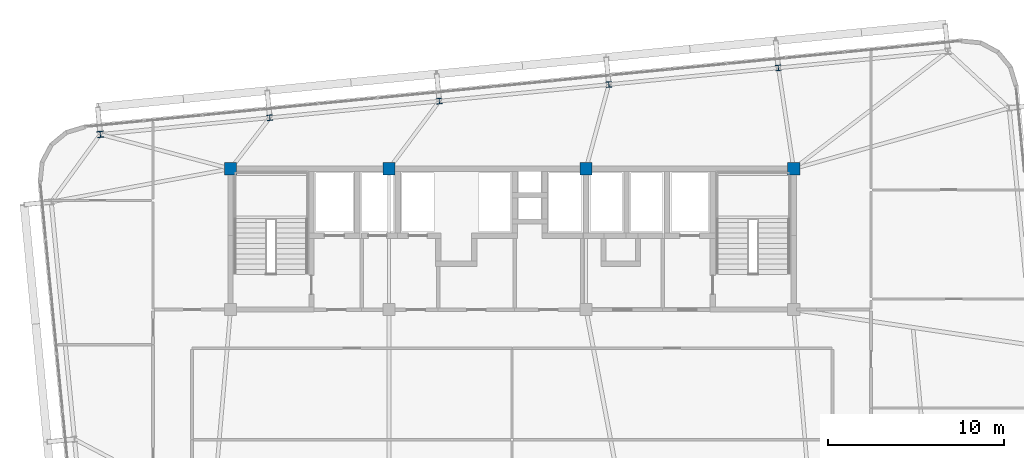
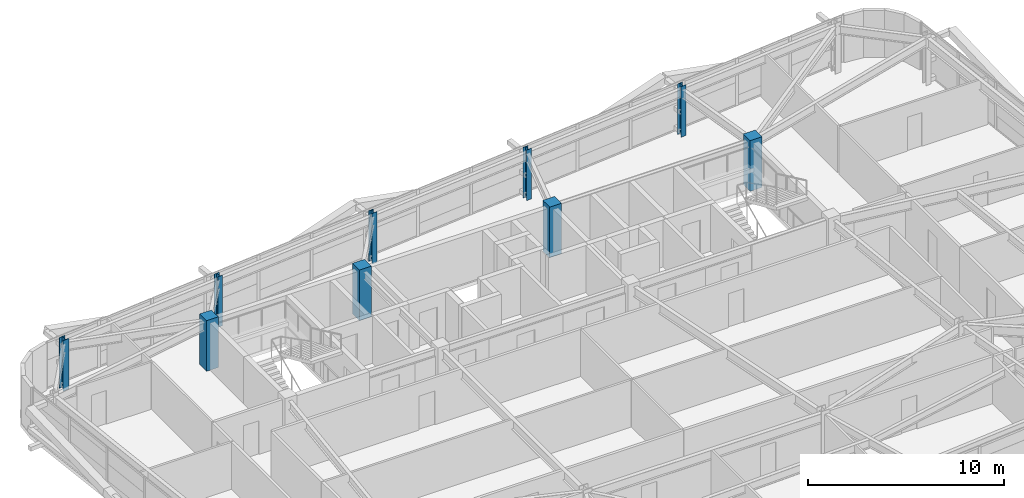
# One storey, part 3 of 52: 9 columns.
"""IFC4 building model written with IfcOpenShell, lengths in metres."""

from ifc_helpers import new_model, si_unit, direction, frame, origin, origin_2d, place, context, subcontext, project, spatial, rectangle, i_section, extrude, source, transform, mapped, material, material_profile, profile_set, type_object, element, save


model = new_model("IFC4")

# Units and contexts
model_context = context("Model", 3, precision=1e-05, world=origin(), true_north=direction((0.0, 1.0)))
body_context = subcontext(model_context, "Body", "Model", "MODEL_VIEW")
ifc_project = project(units=[si_unit("LENGTHUNIT", "METRE"), si_unit("AREAUNIT", "SQUARE_METRE"), si_unit("VOLUMEUNIT", "CUBIC_METRE"), si_unit("PLANEANGLEUNIT", "RADIAN"), si_unit("MASSUNIT", "GRAM", prefix="KILO")], contexts=[model_context])

# Site, building, storey
site_placement = place(None, origin())
site = spatial("IfcSite", under=ifc_project, at=site_placement, CompositionType="ELEMENT")
building_placement = place(site_placement, origin())
building = spatial("IfcBuilding", under=site, at=building_placement, Name="Taldren Reach Tower", CompositionType="ELEMENT")
storey_placement = place(building_placement, frame((0.0, 0.0, 77.699951171875)))
storey = spatial("IfcBuildingStorey", under=building, at=storey_placement, Name="L23", CompositionType="ELEMENT", Elevation=77.699951171875)

# Columns
ifc_material_1 = material(Name="Concrete S65 (65 MPa)", Category="concrete")
ifc_material_profile_1 = material_profile(ifc_material_1, rectangle(XDim=0.699951171875, YDim=0.699951171875, at=origin_2d()), Name="RC-700x700")
ifc_profile_set_1 = profile_set([ifc_material_profile_1], Name="Concrete S65 (65 MPa)")
column_type_1 = type_object("IfcColumnType", Name="COL-RC700", PredefinedType="COLUMN", material=ifc_profile_set_1)
shared_shape_1 = source(origin(), body_context, "Body", "SweptSolid", [
    extrude(rectangle(XDim=0.699951171875, YDim=0.699951171875, at=origin_2d()), origin(), (0.0, 0.0, 1.0), 3.150146484375),
])
for number, where, z_axis, x_axis, name in (
    (1, (19.0, 32.0, 0.0), (0.0, 0.0, 1.0), (1.0, 0.0, 0.0), "Mega column MC-C5 L23"),
    (2, (28.0, 32.0, 0.0), (0.0, 0.0, 1.0), (1.0, 0.0, 0.0), "Mega column MC-C6 L23"),
    (3, (39.199951171875, 32.0, 0.0), (0.0, 0.0, 1.0), (1.0, 0.0, 0.0), "Mega column MC-C7 L23"),
    (4, (51.0, 32.0, 0.0), (0.0, 0.0, 1.0), (1.0, 0.0, 0.0), "Mega column MC-C8 L23"),
):
    element("IfcColumn", number, at=place(storey_placement, frame(where, z_axis=z_axis, x_axis=x_axis)), inside=storey, type_object=column_type_1, Name=name, PredefinedType="COLUMN", context=body_context, shape_type="MappedRepresentation", body=[
        mapped(shared_shape_1, transform((0.0, 0.0, 0.0), scale=1.0)),
    ])
ifc_material_2 = material(Name="Steel Gr 350 (350PLUS)", Category="steel")
ifc_material_profile_2 = material_profile(ifc_material_2, i_section(OverallWidth=0.35009765625, OverallDepth=0.35595703125, WebThickness=0.01806640625, FlangeThickness=0.028076171875, at=origin_2d()), Name="350WC197")
ifc_profile_set_2 = profile_set([ifc_material_profile_2], Name="Steel Gr 350 (350PLUS)")
column_type_2 = type_object("IfcColumnType", Name="COL-WC350", PredefinedType="COLUMN", material=ifc_profile_set_2)
shared_shape_2 = source(origin(), body_context, "Body", "SweptSolid", [
    extrude(i_section(OverallWidth=0.35009765625, OverallDepth=0.35595703125, WebThickness=0.01806640625, FlangeThickness=0.028076171875, at=origin_2d()), origin(), (0.0, 0.0, 1.0), 3.150146484375),
])
column_placement = place(storey_placement, frame((11.596923828125, 33.956787109375, 0.0), z_axis=(0.0, 0.0, 1.0), x_axis=(0.995227399982, 0.097582899759, 0.0)))
element("IfcColumn", 5, at=column_placement, inside=storey, type_object=column_type_2, Name="Block B2 perimeter column N1 L23", PredefinedType="COLUMN", context=body_context, shape_type="MappedRepresentation", body=[
    mapped(shared_shape_2, transform((0.0, 0.0, 0.0), scale=1.0)),
])
ifc_material_profile_3 = material_profile(ifc_material_2, i_section(OverallWidth=0.306884765625, OverallDepth=0.31494140625, WebThickness=0.011962890625, FlangeThickness=0.018798828125, at=origin_2d()), Name="310UC118")
ifc_profile_set_3 = profile_set([ifc_material_profile_3], Name="Steel Gr 350 (350PLUS)")
column_type_3 = type_object("IfcColumnType", Name="COL-UC310B", PredefinedType="COLUMN", material=ifc_profile_set_3)
shared_shape_3 = source(origin(), body_context, "Body", "SweptSolid", [
    extrude(i_section(OverallWidth=0.306884765625, OverallDepth=0.31494140625, WebThickness=0.011962890625, FlangeThickness=0.018798828125, at=origin_2d()), origin(), (0.0, 0.0, 1.0), 3.150146484375),
])
for number, where, z_axis, x_axis, name in (
    (6, (21.230712890625, 34.9013671875, 0.0), (0.0, 0.0, 1.0), (0.995227399982, 0.097582899759, 0.0), "Block B2 perimeter column N2 L23"),
    (7, (30.864501953125, 35.84619140625, 0.0), (0.0, 0.0, 1.0), (0.995227399982, 0.097582899759, 0.0), "Block B2 perimeter column N3 L23"),
    (8, (40.498291015625, 36.790771484375, 0.0), (0.0, 0.0, 1.0), (0.995227399982, 0.097582899759, 0.0), "Block B2 perimeter column N4 L23"),
    (9, (50.132080078125, 37.7353515625, 0.0), (0.0, 0.0, 1.0), (0.995227399982, 0.097582899759, 0.0), "Block B2 perimeter column N5 L23"),
):
    element("IfcColumn", number, at=place(storey_placement, frame(where, z_axis=z_axis, x_axis=x_axis)), inside=storey, type_object=column_type_3, Name=name, PredefinedType="COLUMN", context=body_context, shape_type="MappedRepresentation", body=[
        mapped(shared_shape_3, transform((0.0, 0.0, 0.0), scale=1.0)),
    ])

save(model, "model.ifc")
